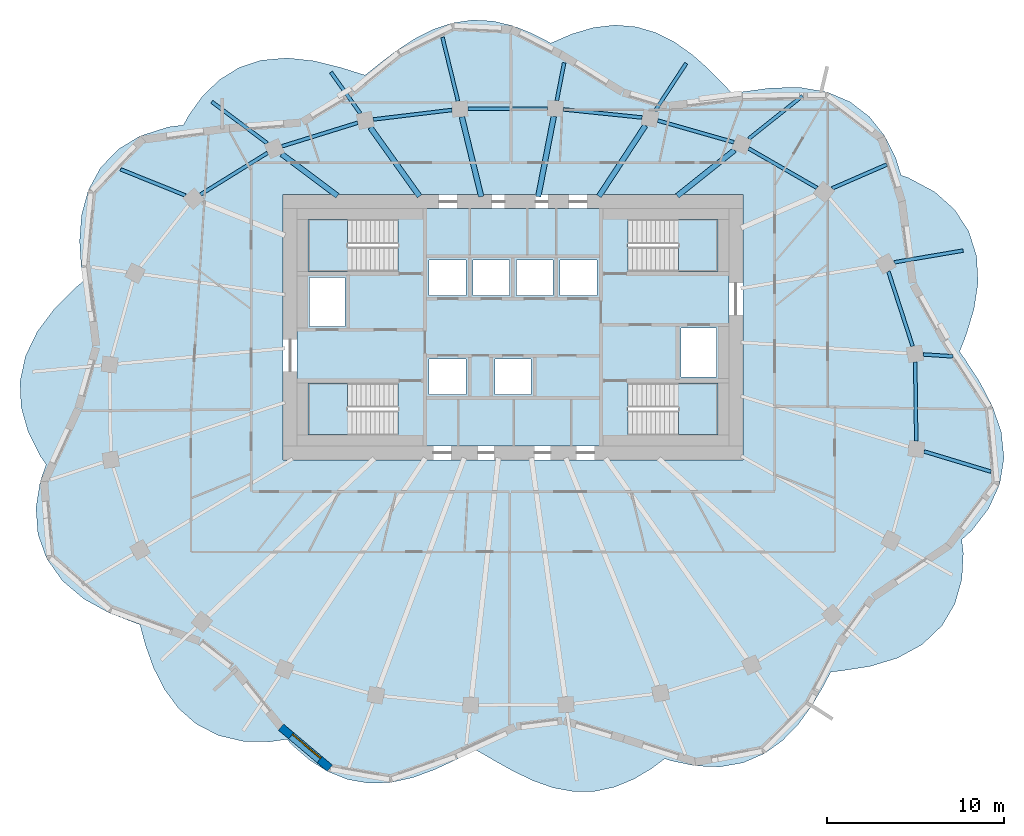
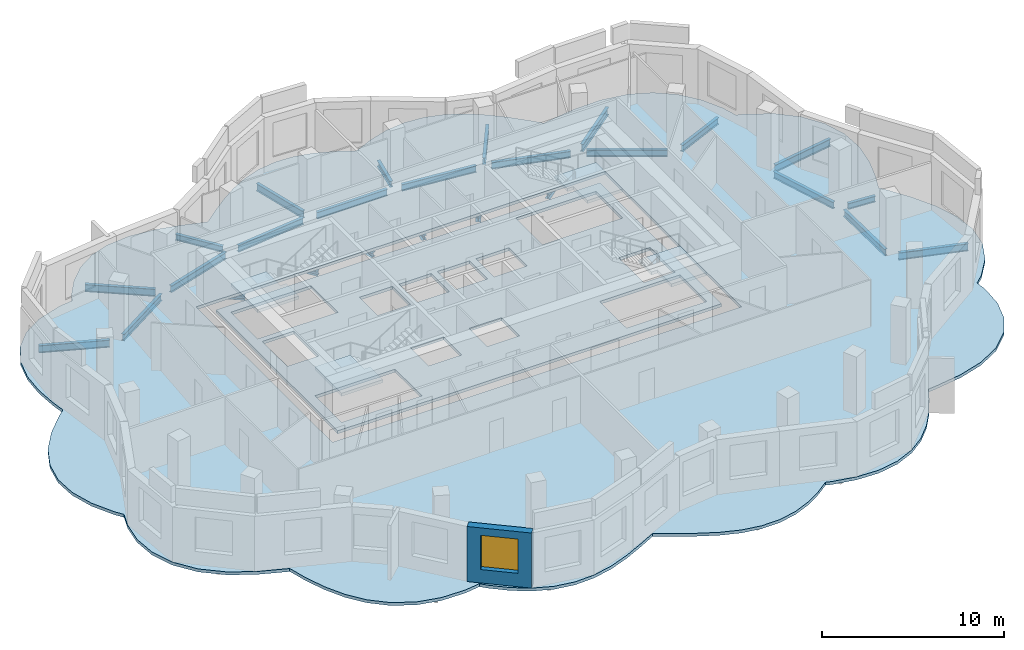
# One storey, part 2 of 10: 26 beams, 6 slabs, 1 wall, 1 window, 1 opening, 4 elements without a shape of their own.
"""IFC4 building model written with IfcOpenShell, lengths in metres."""

from ifc_helpers import new_model, si_unit, direction, frame, frame_2d, origin, origin_2d, place, context, subcontext, project, spatial, polyline, rectangle, i_section, outline, extrude, material, layer, layer_set, material_profile, profile_set, type_object, element, fill, aggregate, save


model = new_model("IFC4")

# Units and contexts
model_context = context("Model", 3, precision=1e-05, world=origin(), true_north=direction((0.0, 1.0)))
body_context = subcontext(model_context, "Body", "Model", "MODEL_VIEW")
ifc_project = project(units=[si_unit("LENGTHUNIT", "METRE"), si_unit("AREAUNIT", "SQUARE_METRE"), si_unit("VOLUMEUNIT", "CUBIC_METRE"), si_unit("PLANEANGLEUNIT", "RADIAN"), si_unit("MASSUNIT", "GRAM", prefix="KILO")], contexts=[model_context])

# Site, building, storey
site_placement = place(None, origin())
site = spatial("IfcSite", under=ifc_project, at=site_placement, CompositionType="ELEMENT")
building_placement = place(site_placement, origin())
building = spatial("IfcBuilding", under=site, at=building_placement, Name="Rubra Terraces Tower", CompositionType="ELEMENT")
storey_placement = place(building_placement, frame((0.0, 0.0, 296.10009765625)))
storey = spatial("IfcBuildingStorey", under=building, at=storey_placement, Name="L73", CompositionType="ELEMENT", Elevation=296.10009765625)

# Beams
ifc_material_1 = material(Name="Steel Q355B", Category="steel")
ifc_material_profile_1 = material_profile(ifc_material_1, i_section(OverallWidth=0.199951171875, OverallDepth=0.39990234375, WebThickness=0.008056640625, FlangeThickness=0.012939453125, at=origin_2d()), Name="HN 400x200x8x13")
ifc_profile_set_1 = profile_set([ifc_material_profile_1], Name="Steel Q355B")
beam_type_1 = type_object("IfcBeamType", Name="CANTILEVER BEAM HN 400x200x8x13", PredefinedType="BEAM", material=ifc_profile_set_1)
beam_1_placement = place(storey_placement, frame((23.195068359375, 2.9619140625, -0.400146484375), z_axis=(0.997845385108, -0.065609354661, 0.0), x_axis=(0.065609354661, 0.997845385108, 0.0)))
element("IfcBeam", 1, at=beam_1_placement, inside=storey, type_object=beam_type_1, Name="beam-L73-cant-01", PredefinedType="BEAM", context=body_context, shape_type="SweptSolid", body=[
    extrude(i_section(OverallWidth=0.199951171875, OverallDepth=0.39990234375, WebThickness=0.008056640625, FlangeThickness=0.012939453125, at=origin_2d()), origin(), (0.0, 0.0, 1.0), 1.674560546875),
])
beam_2_placement = place(storey_placement, frame((2.47802734375, 17.30810546875, -0.400146484375), z_axis=(0.190070576242, 0.981770429401, 0.0), x_axis=(-0.981770429401, 0.190070576242, 0.0)))
element("IfcBeam", 2, at=beam_2_placement, inside=storey, type_object=beam_type_1, Name="beam-L73-cant-06", PredefinedType="BEAM", context=body_context, shape_type="SweptSolid", body=[
    extrude(i_section(OverallWidth=0.199951171875, OverallDepth=0.39990234375, WebThickness=0.008056640625, FlangeThickness=0.012939453125, at=origin_2d()), origin(), (0.0, 0.0, 1.0), 2.18359375),
])
beam_3_placement = place(storey_placement, frame((-8.632080078125, 16.591064453125, -0.400146484375), z_axis=(-0.580898696932, 0.81397586199, 0.0), x_axis=(-0.81397586199, -0.580898696932, 0.0)))
element("IfcBeam", 3, at=beam_3_placement, inside=storey, type_object=beam_type_1, Name="beam-L73-cant-08", PredefinedType="BEAM", context=body_context, shape_type="SweptSolid", body=[
    extrude(i_section(OverallWidth=0.199951171875, OverallDepth=0.39990234375, WebThickness=0.008056640625, FlangeThickness=0.012939453125, at=origin_2d()), origin(), (0.0, 0.0, 1.0), 2.857421875),
])
ifc_material_profile_2 = material_profile(ifc_material_1, i_section(OverallWidth=0.198974609375, OverallDepth=0.446044921875, WebThickness=0.008056640625, FlangeThickness=0.011962890625, at=origin_2d()), Name="HN 446x199x8x12")
ifc_profile_set_2 = profile_set([ifc_material_profile_2], Name="Steel Q355B")
beam_type_2 = type_object("IfcBeamType", Name="CANTILEVER BEAM HN 446x199x8x12", PredefinedType="BEAM", material=ifc_profile_set_2)
beam_4_placement = place(storey_placement, frame((18.047119140625, 12.35205078125, -0.423095703125), z_axis=(0.916884095098, 0.399153549597, 0.0), x_axis=(-0.399153549597, 0.916884095098, 0.0)))
element("IfcBeam", 4, at=beam_4_placement, inside=storey, type_object=beam_type_2, Name="beam-L73-cant-03", PredefinedType="BEAM", context=body_context, shape_type="SweptSolid", body=[
    extrude(i_section(OverallWidth=0.198974609375, OverallDepth=0.446044921875, WebThickness=0.008056640625, FlangeThickness=0.011962890625, at=origin_2d()), origin(), (0.0, 0.0, 1.0), 3.3623046875),
])
beam_5_placement = place(storey_placement, frame((8.01806640625, 16.714111328125, -0.423095703125), z_axis=(0.548902148332, 0.835886614055, 0.0), x_axis=(-0.835886614055, 0.548902148332, 0.0)))
element("IfcBeam", 5, at=beam_5_placement, inside=storey, type_object=beam_type_2, Name="beam-L73-cant-05", PredefinedType="BEAM", context=body_context, shape_type="SweptSolid", body=[
    extrude(i_section(OverallWidth=0.198974609375, OverallDepth=0.446044921875, WebThickness=0.008056640625, FlangeThickness=0.011962890625, at=origin_2d()), origin(), (0.0, 0.0, 1.0), 3.233642578125),
])
ifc_material_profile_3 = material_profile(ifc_material_1, i_section(OverallWidth=0.198974609375, OverallDepth=0.49609375, WebThickness=0.009033203125, FlangeThickness=0.013916015625, at=origin_2d()), Name="HN 496x199x9x14")
ifc_profile_set_3 = profile_set([ifc_material_profile_3], Name="Steel Q355B")
beam_type_3 = type_object("IfcBeamType", Name="CANTILEVER BEAM HN 496x199x9x14", PredefinedType="BEAM", material=ifc_profile_set_3)
beam_6_placement = place(storey_placement, frame((21.552001953125, 8.169921875, -0.447998046875), z_axis=(0.985809855884, 0.167865803673, 0.0), x_axis=(-0.167865803673, 0.985809855884, 0.0)))
element("IfcBeam", 6, at=beam_6_placement, inside=storey, type_object=beam_type_3, Name="beam-L73-cant-02", PredefinedType="BEAM", context=body_context, shape_type="SweptSolid", body=[
    extrude(i_section(OverallWidth=0.198974609375, OverallDepth=0.49609375, WebThickness=0.009033203125, FlangeThickness=0.013916015625, at=origin_2d()), origin(), (0.0, 0.0, 1.0), 3.9501953125),
])
beam_7_placement = place(storey_placement, frame((13.326904296875, 15.152099609375, -0.447998046875), z_axis=(0.781187592324, 0.624296360393, 0.0), x_axis=(-0.624296360393, 0.781187592324, 0.0)))
element("IfcBeam", 7, at=beam_7_placement, inside=storey, type_object=beam_type_3, Name="beam-L73-cant-04", PredefinedType="BEAM", context=body_context, shape_type="SweptSolid", body=[
    extrude(i_section(OverallWidth=0.198974609375, OverallDepth=0.49609375, WebThickness=0.009033203125, FlangeThickness=0.013916015625, at=origin_2d()), origin(), (0.0, 0.0, 1.0), 3.884033203125),
])
beam_8_placement = place(storey_placement, frame((-3.10693359375, 17.280029296875, -0.447998046875), z_axis=(-0.236180248779, 0.971709262118, 0.0), x_axis=(-0.971709262118, -0.236180248779, 0.0)))
element("IfcBeam", 8, at=beam_8_placement, inside=storey, type_object=beam_type_3, Name="beam-L73-cant-07", PredefinedType="BEAM", context=body_context, shape_type="SweptSolid", body=[
    extrude(i_section(OverallWidth=0.198974609375, OverallDepth=0.49609375, WebThickness=0.009033203125, FlangeThickness=0.013916015625, at=origin_2d()), origin(), (0.0, 0.0, 1.0), 3.708984375),
])
beam_9_placement = place(storey_placement, frame((-13.89794921875, 14.903076171875, -0.447998046875), z_axis=(-0.800479582074, 0.599360024261, 0.0), x_axis=(-0.599360024261, -0.800479582074, 0.0)))
element("IfcBeam", 9, at=beam_9_placement, inside=storey, type_object=beam_type_3, Name="beam-L73-cant-09", PredefinedType="BEAM", context=body_context, shape_type="SweptSolid", body=[
    extrude(i_section(OverallWidth=0.198974609375, OverallDepth=0.49609375, WebThickness=0.009033203125, FlangeThickness=0.013916015625, at=origin_2d()), origin(), (0.0, 0.0, 1.0), 3.907470703125),
])
for number, where, z_axis, x_axis, name in (
    (10, (-18.51708984375, 11.949951171875, -0.447998046875), (-0.927638789875, 0.373478614541, 0.0), (-0.373478614541, -0.927638789875, 0.0), "beam-L73-cant-10"),
    (11, (23.239013671875, -2.52099609375, -0.447998046875), (0.957281879251, -0.289156365412, 0.0), (0.289156365412, 0.957281879251, 0.0), "beam-L73-cant-24"),
):
    element("IfcBeam", number, at=place(storey_placement, frame(where, z_axis=z_axis, x_axis=x_axis)), inside=storey, type_object=beam_type_3, Name=name, PredefinedType="BEAM", context=body_context, shape_type="SweptSolid", body=[
        extrude(i_section(OverallWidth=0.198974609375, OverallDepth=0.49609375, WebThickness=0.009033203125, FlangeThickness=0.013916015625, at=origin_2d()), origin(), (0.0, 0.0, 1.0), 3.94970703125),
    ])
ifc_material_profile_4 = material_profile(ifc_material_1, i_section(OverallWidth=0.304931640625, OverallDepth=0.300048828125, WebThickness=0.014892578125, FlangeThickness=0.014892578125, at=origin_2d()), Name="HW 300x305x15x15")
ifc_profile_set_4 = profile_set([ifc_material_profile_4], Name="Steel Q355B")
beam_type_4 = type_object("IfcBeamType", Name="FLOOR BEAM HW 300x305x15x15", PredefinedType="BEAM", material=ifc_profile_set_4)
beam_10_placement = place(storey_placement, frame((12.527099609375, 14.511962890625, -0.35009765625), z_axis=(-0.781190597938, -0.624292599423, 0.0), x_axis=(0.624292599423, -0.781190597938, 0.0)))
element("IfcBeam", 12, at=beam_10_placement, inside=storey, type_object=beam_type_4, Name="beam-L73-floor-04", PredefinedType="BEAM", context=body_context, shape_type="SweptSolid", body=[
    extrude(i_section(OverallWidth=0.304931640625, OverallDepth=0.300048828125, WebThickness=0.014892578125, FlangeThickness=0.014892578125, at=origin_2d()), origin(), (0.0, 0.0, 1.0), 4.143798828125),
])
beam_11_placement = place(storey_placement, frame((7.48388671875, 15.89990234375, -0.35009765625), z_axis=(-0.548799087814, -0.835954281773, 0.0), x_axis=(0.835954281773, -0.548799087814, 0.0)))
element("IfcBeam", 13, at=beam_11_placement, inside=storey, type_object=beam_type_4, Name="beam-L73-floor-05", PredefinedType="BEAM", context=body_context, shape_type="SweptSolid", body=[
    extrude(i_section(OverallWidth=0.304931640625, OverallDepth=0.300048828125, WebThickness=0.014892578125, FlangeThickness=0.014892578125, at=origin_2d()), origin(), (0.0, 0.0, 1.0), 4.784912109375),
])
beam_12_placement = place(storey_placement, frame((2.305908203125, 16.416015625, -0.35009765625), z_axis=(-0.190104093884, -0.981763939798, 0.0), x_axis=(0.981763939798, -0.190104093884, 0.0)))
element("IfcBeam", 14, at=beam_12_placement, inside=storey, type_object=beam_type_4, Name="beam-L73-floor-06", PredefinedType="BEAM", context=body_context, shape_type="SweptSolid", body=[
    extrude(i_section(OverallWidth=0.304931640625, OverallDepth=0.300048828125, WebThickness=0.014892578125, FlangeThickness=0.014892578125, at=origin_2d()), origin(), (0.0, 0.0, 1.0), 4.6181640625),
])
beam_13_placement = place(storey_placement, frame((-2.89111328125, 16.39208984375, -0.35009765625), z_axis=(0.236229407797, -0.971697312383, 0.0), x_axis=(0.971697312383, 0.236229407797, 0.0)))
element("IfcBeam", 15, at=beam_13_placement, inside=storey, type_object=beam_type_4, Name="beam-L73-floor-07", PredefinedType="BEAM", context=body_context, shape_type="SweptSolid", body=[
    extrude(i_section(OverallWidth=0.304931640625, OverallDepth=0.300048828125, WebThickness=0.014892578125, FlangeThickness=0.014892578125, at=origin_2d()), origin(), (0.0, 0.0, 1.0), 4.640380859375),
])
beam_14_placement = place(storey_placement, frame((-8.06201171875, 15.79296875, -0.35009765625), z_axis=(0.580948286594, -0.813940469754, 0.0), x_axis=(0.813940469754, 0.580948286594, 0.0)))
element("IfcBeam", 16, at=beam_14_placement, inside=storey, type_object=beam_type_4, Name="beam-L73-floor-08", PredefinedType="BEAM", context=body_context, shape_type="SweptSolid", body=[
    extrude(i_section(OverallWidth=0.304931640625, OverallDepth=0.300048828125, WebThickness=0.014892578125, FlangeThickness=0.014892578125, at=origin_2d()), origin(), (0.0, 0.0, 1.0), 4.7802734375),
])
beam_15_placement = place(storey_placement, frame((-13.075927734375, 14.2890625, -0.35009765625), z_axis=(0.800431185592, -0.599424655092, 0.0), x_axis=(0.599424655092, 0.800431185592, 0.0)))
element("IfcBeam", 17, at=beam_15_placement, inside=storey, type_object=beam_type_4, Name="beam-L73-floor-09", PredefinedType="BEAM", context=body_context, shape_type="SweptSolid", body=[
    extrude(i_section(OverallWidth=0.304931640625, OverallDepth=0.300048828125, WebThickness=0.014892578125, FlangeThickness=0.014892578125, at=origin_2d()), origin(), (0.0, 0.0, 1.0), 3.93896484375),
])
ifc_material_profile_5 = material_profile(ifc_material_1, i_section(OverallWidth=0.198974609375, OverallDepth=0.446044921875, WebThickness=0.008056640625, FlangeThickness=0.011962890625, at=origin_2d()), Name="HN 446x199x8x12")
ifc_profile_set_5 = profile_set([ifc_material_profile_5], Name="Steel Q355B")
beam_type_5 = type_object("IfcBeamType", Name="SPANDREL BEAM HN 446x199x8x12", PredefinedType="SPANDREL", material=ifc_profile_set_5)
beam_16_placement = place(storey_placement, frame((22.593994140625, 3.426025390625, -0.423095703125), z_axis=(-0.308536942246, 0.951212360764, 0.0), x_axis=(-0.951212360764, -0.308536942246, 0.0)))
element("IfcBeam", 18, at=beam_16_placement, inside=storey, type_object=beam_type_5, Name="beam-L73-spandrel-01", PredefinedType="SPANDREL", context=body_context, shape_type="SweptSolid", body=[
    extrude(i_section(OverallWidth=0.198974609375, OverallDepth=0.446044921875, WebThickness=0.008056640625, FlangeThickness=0.011962890625, at=origin_2d()), origin(), (0.0, 0.0, 1.0), 4.44384765625),
])
beam_17_placement = place(storey_placement, frame((17.18798828125, 12.37890625, -0.423095703125), z_axis=(-0.866616005945, 0.498975648945, 0.0), x_axis=(-0.498975648945, -0.866616005945, 0.0)))
element("IfcBeam", 19, at=beam_17_placement, inside=storey, type_object=beam_type_5, Name="beam-L73-spandrel-03", PredefinedType="SPANDREL", context=body_context, shape_type="SweptSolid", body=[
    extrude(i_section(OverallWidth=0.198974609375, OverallDepth=0.446044921875, WebThickness=0.008056640625, FlangeThickness=0.011962890625, at=origin_2d()), origin(), (0.0, 0.0, 1.0), 4.463134765625),
])
beam_18_placement = place(storey_placement, frame((12.490966796875, 14.9560546875, -0.423095703125), z_axis=(-0.961713024643, 0.27405849418, 0.0), x_axis=(-0.27405849418, -0.961713024643, 0.0)))
element("IfcBeam", 20, at=beam_18_placement, inside=storey, type_object=beam_type_5, Name="beam-L73-spandrel-04", PredefinedType="SPANDREL", context=body_context, shape_type="SweptSolid", body=[
    extrude(i_section(OverallWidth=0.198974609375, OverallDepth=0.446044921875, WebThickness=0.008056640625, FlangeThickness=0.011962890625, at=origin_2d()), origin(), (0.0, 0.0, 1.0), 4.477294921875),
])
beam_19_placement = place(storey_placement, frame((7.302001953125, 16.35400390625, -0.423095703125), z_axis=(-0.994684107425, 0.102973425873, 0.0), x_axis=(-0.102973425873, -0.994684107425, 0.0)))
element("IfcBeam", 21, at=beam_19_placement, inside=storey, type_object=beam_type_5, Name="beam-L73-spandrel-05", PredefinedType="SPANDREL", context=body_context, shape_type="SweptSolid", body=[
    extrude(i_section(OverallWidth=0.198974609375, OverallDepth=0.446044921875, WebThickness=0.008056640625, FlangeThickness=0.011962890625, at=origin_2d()), origin(), (0.0, 0.0, 1.0), 4.48583984375),
])
beam_20_placement = place(storey_placement, frame((1.94091796875, 16.860107421875, -0.423095703125), z_axis=(-0.999987753188, -0.004949088244, 0.0), x_axis=(0.004949088244, -0.999987753188, 0.0)))
element("IfcBeam", 22, at=beam_20_placement, inside=storey, type_object=beam_type_5, Name="beam-L73-spandrel-06", PredefinedType="SPANDREL", context=body_context, shape_type="SweptSolid", body=[
    extrude(i_section(OverallWidth=0.198974609375, OverallDepth=0.446044921875, WebThickness=0.008056640625, FlangeThickness=0.011962890625, at=origin_2d()), origin(), (0.0, 0.0, 1.0), 4.489013671875),
])
beam_21_placement = place(storey_placement, frame((-3.447021484375, 16.781982421875, -0.423095703125), z_axis=(-0.992829862118, -0.119536040116, 0.0), x_axis=(0.119536040116, -0.992829862118, 0.0)))
element("IfcBeam", 23, at=beam_21_placement, inside=storey, type_object=beam_type_5, Name="beam-L73-spandrel-07", PredefinedType="SPANDREL", context=body_context, shape_type="SweptSolid", body=[
    extrude(i_section(OverallWidth=0.198974609375, OverallDepth=0.446044921875, WebThickness=0.008056640625, FlangeThickness=0.011962890625, at=origin_2d()), origin(), (0.0, 0.0, 1.0), 4.483154296875),
])
beam_22_placement = place(storey_placement, frame((-8.779052734375, 16.05810546875, -0.423095703125), z_axis=(-0.955035382264, -0.296491852541, 0.0), x_axis=(0.296491852541, -0.955035382264, 0.0)))
element("IfcBeam", 24, at=beam_22_placement, inside=storey, type_object=beam_type_5, Name="beam-L73-spandrel-08", PredefinedType="SPANDREL", context=body_context, shape_type="SweptSolid", body=[
    extrude(i_section(OverallWidth=0.198974609375, OverallDepth=0.446044921875, WebThickness=0.008056640625, FlangeThickness=0.011962890625, at=origin_2d()), origin(), (0.0, 0.0, 1.0), 4.47607421875),
])
beam_23_placement = place(storey_placement, frame((-13.8720703125, 14.35693359375, -0.423095703125), z_axis=(-0.849641857012, -0.527360137679, 0.0), x_axis=(0.527360137679, -0.849641857012, 0.0)))
element("IfcBeam", 25, at=beam_23_placement, inside=storey, type_object=beam_type_5, Name="beam-L73-spandrel-09", PredefinedType="SPANDREL", context=body_context, shape_type="SweptSolid", body=[
    extrude(i_section(OverallWidth=0.198974609375, OverallDepth=0.446044921875, WebThickness=0.008056640625, FlangeThickness=0.011962890625, at=origin_2d()), origin(), (0.0, 0.0, 1.0), 4.4619140625),
])
beam_24_placement = place(storey_placement, frame((22.7958984375, -1.93408203125, -0.423095703125), z_axis=(-0.01250038801, 0.999921867097, 0.0), x_axis=(-0.999921867097, -0.01250038801, 0.0)))
element("IfcBeam", 26, at=beam_24_placement, inside=storey, type_object=beam_type_5, Name="beam-L73-spandrel-24", PredefinedType="SPANDREL", context=body_context, shape_type="SweptSolid", body=[
    extrude(i_section(OverallWidth=0.198974609375, OverallDepth=0.446044921875, WebThickness=0.008056640625, FlangeThickness=0.011962890625, at=origin_2d()), origin(), (0.0, 0.0, 1.0), 4.472412109375),
])

# Slab
ifc_material_2 = material(Name="Concrete C40", Category="concrete")
ifc_layer_1 = layer(ifc_material_2, 0.199951171875)
ifc_layer_set_1 = layer_set([ifc_layer_1], Name="Concrete C40")
slab_type_1 = type_object("IfcSlabType", Name="Core floor slab 200 concrete", PredefinedType="FLOOR", material=ifc_layer_set_1)
slab_1_placement = place(storey_placement, frame((0.0, 0.0, -0.2001953125)))
element("IfcSlab", 27, at=slab_1_placement, inside=storey, type_object=slab_type_1, Name="CORE FLOOR SLAB L73", PredefinedType="FLOOR", context=body_context, shape_type="SweptSolid", body=[
    extrude(outline(polyline([(-12.199951171875, -2.199951171875), (-12.199951171875, 11.199951171875), (12.199951171875, 11.199951171875), (12.199951171875, -2.199951171875), (-12.199951171875, -2.199951171875)]), holes=[polyline([(11.597900390625, 1.347900390625), (6.501953125, 1.347900390625), (6.501953125, -1.597900390625), (11.597900390625, -1.597900390625), (11.597900390625, 1.347900390625)]), polyline([(11.597900390625, 7.652099609375), (11.597900390625, 10.597900390625), (6.501953125, 10.597900390625), (6.501953125, 7.652099609375), (11.597900390625, 7.652099609375)]), polyline([(9.5, 1.699951171875), (11.5, 1.699951171875), (11.5, 4.449951171875), (9.5, 4.449951171875), (9.5, 1.699951171875)]), polyline([(4.75, 6.300048828125), (4.75, 8.300048828125), (2.64990234375, 8.300048828125), (2.64990234375, 6.300048828125), (4.75, 6.300048828125)]), polyline([(2.25, 8.300048828125), (0.199951171875, 8.300048828125), (0.199951171875, 6.300048828125), (2.25, 6.300048828125), (2.25, 8.300048828125)]), polyline([(1.02490234375, 0.699951171875), (1.02490234375, 2.699951171875), (-1.02490234375, 2.699951171875), (-1.02490234375, 0.699951171875), (1.02490234375, 0.699951171875)]), polyline([(-0.199951171875, 6.300048828125), (-0.199951171875, 8.300048828125), (-2.25, 8.300048828125), (-2.25, 6.300048828125), (-0.199951171875, 6.300048828125)]), polyline([(-4.75, 8.300048828125), (-4.75, 6.300048828125), (-2.64990234375, 6.300048828125), (-2.64990234375, 8.300048828125), (-4.75, 8.300048828125)]), polyline([(-2.64990234375, 0.699951171875), (-2.64990234375, 2.699951171875), (-4.75, 2.699951171875), (-4.75, 0.699951171875), (-2.64990234375, 0.699951171875)]), polyline([(-11.597900390625, -1.597900390625), (-6.501953125, -1.597900390625), (-6.501953125, 1.347900390625), (-11.597900390625, 1.347900390625), (-11.597900390625, -1.597900390625)]), polyline([(-11.597900390625, 10.597900390625), (-11.597900390625, 7.652099609375), (-6.501953125, 7.652099609375), (-6.501953125, 10.597900390625), (-11.597900390625, 10.597900390625)]), polyline([(-9.5, 4.550048828125), (-9.5, 7.300048828125), (-11.5, 7.300048828125), (-11.5, 4.550048828125), (-9.5, 4.550048828125)])]), origin(), (0.0, 0.0, 1.0), 0.2001953125),
])

# Stair, slab
stair_type = type_object("IfcStairType", Name="Core stair 1400", PredefinedType="HALF_TURN_STAIR", material=ifc_material_2)
stair_1_placement = place(storey_placement, origin())
stair_1 = element("IfcStair", 28, at=stair_1_placement, inside=storey, type_object=stair_type, Name="L73 Exit stair S1", PredefinedType="HALF_TURN_STAIR")
ifc_layer_2 = layer(ifc_material_2, 0.199951171875)
ifc_layer_set_2 = layer_set([ifc_layer_2], Name="Concrete C40")
slab_type_2 = type_object("IfcSlabType", Name="Core stair landing 200", PredefinedType="LANDING", material=ifc_layer_set_2)
slab_2_placement = place(storey_placement, frame((0.0, 0.0, 1.75)))
slab_2 = element("IfcSlab", 29, at=slab_2_placement, type_object=slab_type_2, Name="S1 landing 1", PredefinedType="LANDING", context=body_context, shape_type="SweptSolid", body=[
    extrude(outline(polyline([(-8.97998046875, -0.199951171875), (-8.97998046875, -1.60009765625), (-9.360107421875, -1.60009765625), (-9.3798828125, -1.60009765625), (-11.60009765625, -1.60009765625), (-11.60009765625, 1.35009765625), (-9.3798828125, 1.35009765625), (-9.35791015625, 1.35009765625), (-9.35791015625, -0.050048828125), (-9.360107421875, -0.050048828125), (-9.360107421875, -0.199951171875), (-8.97998046875, -0.199951171875)])), origin(), (0.0, 0.0, 1.0), 0.199951171875),
])
aggregate(stair_1, [slab_2])

stair_2_placement = place(storey_placement, origin())
stair_2 = element("IfcStair", 30, at=stair_2_placement, inside=storey, type_object=stair_type, Name="L73 Exit stair S2", PredefinedType="HALF_TURN_STAIR")
slab_3_placement = place(storey_placement, frame((0.0, 0.0, 1.75)))
slab_3 = element("IfcSlab", 31, at=slab_3_placement, type_object=slab_type_2, Name="S2 landing 1", PredefinedType="LANDING", context=body_context, shape_type="SweptSolid", body=[
    extrude(outline(polyline([(-8.97998046875, 9.050048828125), (-8.97998046875, 7.64990234375), (-9.3798828125, 7.64990234375), (-11.60009765625, 7.64990234375), (-11.60009765625, 10.60009765625), (-9.3798828125, 10.60009765625), (-9.360107421875, 10.60009765625), (-9.35791015625, 10.60009765625), (-9.35791015625, 9.199951171875), (-9.360107421875, 9.199951171875), (-9.360107421875, 9.050048828125), (-8.97998046875, 9.050048828125)])), origin(), (0.0, 0.0, 1.0), 0.199951171875),
])
aggregate(stair_2, [slab_3])

stair_3_placement = place(storey_placement, origin())
stair_3 = element("IfcStair", 32, at=stair_3_placement, inside=storey, type_object=stair_type, Name="L73 Exit stair S3", PredefinedType="HALF_TURN_STAIR")
slab_4_placement = place(storey_placement, frame((0.0, 0.0, 1.75)))
slab_4 = element("IfcSlab", 33, at=slab_4_placement, type_object=slab_type_2, Name="S3 landing 1", PredefinedType="LANDING", context=body_context, shape_type="SweptSolid", body=[
    extrude(outline(polyline([(9.360107421875, 9.050048828125), (9.360107421875, 9.199951171875), (8.97998046875, 9.199951171875), (8.97998046875, 10.60009765625), (9.360107421875, 10.60009765625), (9.3798828125, 10.60009765625), (11.60009765625, 10.60009765625), (11.60009765625, 7.64990234375), (9.3798828125, 7.64990234375), (9.35791015625, 7.64990234375), (9.35791015625, 9.050048828125), (9.360107421875, 9.050048828125)])), origin(), (0.0, 0.0, 1.0), 0.199951171875),
])
aggregate(stair_3, [slab_4])

stair_4_placement = place(storey_placement, origin())
stair_4 = element("IfcStair", 34, at=stair_4_placement, inside=storey, type_object=stair_type, Name="L73 Exit stair S4", PredefinedType="HALF_TURN_STAIR")
slab_5_placement = place(storey_placement, frame((0.0, 0.0, 1.75)))
slab_5 = element("IfcSlab", 35, at=slab_5_placement, type_object=slab_type_2, Name="S4 landing 1", PredefinedType="LANDING", context=body_context, shape_type="SweptSolid", body=[
    extrude(outline(polyline([(9.360107421875, -0.199951171875), (9.360107421875, -0.050048828125), (8.97998046875, -0.050048828125), (8.97998046875, 1.35009765625), (9.360107421875, 1.35009765625), (9.3798828125, 1.35009765625), (11.60009765625, 1.35009765625), (11.60009765625, -1.60009765625), (9.3798828125, -1.60009765625), (9.360107421875, -1.60009765625), (9.35791015625, -1.60009765625), (9.35791015625, -0.199951171875), (9.360107421875, -0.199951171875)])), origin(), (0.0, 0.0, 1.0), 0.199951171875),
])
aggregate(stair_4, [slab_5])

# Slab
ifc_layer_3 = layer(ifc_material_2, 0.199951171875)
ifc_layer_set_3 = layer_set([ifc_layer_3], Name="Concrete C40")
slab_type_3 = type_object("IfcSlabType", Name="FLOOR SLAB 200 COMPOSITE", PredefinedType="FLOOR", material=ifc_layer_set_3)
slab_6_placement = place(storey_placement, frame((0.0, 0.0, -0.2001953125)))
element("IfcSlab", 36, at=slab_6_placement, inside=storey, type_object=slab_type_3, Name="FLOOR SLAB L73", PredefinedType="FLOOR", context=body_context, shape_type="SweptSolid", body=[
    extrude(outline(polyline([(25.4599609375, -8.27294921875), (25.368896484375, -7.5048828125), (25.94091796875, -6.986083984375), (26.89306640625, -5.7451171875), (27.52001953125, -4.35888671875), (27.758056640625, -2.89501953125), (27.60400390625, -1.422119140625), (27.116943359375, 0.0), (26.39990234375, 1.382080078125), (25.549072265625, 2.694091796875), (25.24609375, 3.115966796875), (25.614990234375, 4.056884765625), (26.06005859375, 5.510009765625), (26.291015625, 7.01806640625), (26.2109375, 8.51611328125), (25.76708984375, 9.925048828125), (24.9599609375, 11.156005859375), (23.844970703125, 12.14990234375), (22.326904296875, 12.964111328125), (21.93994140625, 13.089111328125), (21.64404296875, 14.050048828125), (21.032958984375, 15.281982421875), (20.157958984375, 16.39111328125), (19.06201171875, 17.238037109375), (17.787109375, 17.787109375), (16.205078125, 18.05908203125), (14.56103515625, 18.02392578125), (12.93310546875, 17.801025390625), (11.493896484375, 17.552001953125), (12.39501953125, 17.7080078125), (11.868896484375, 18.27294921875), (11.032958984375, 19.117919921875), (10.14208984375, 19.905029296875), (9.14306640625, 20.613037109375), (8.0849609375, 21.14990234375), (6.97900390625, 21.47900390625), (5.77294921875, 21.5830078125), (4.552978515625, 21.43994140625), (3.339111328125, 21.0810546875), (2.205078125, 20.589111328125), (2.14599609375, 20.55810546875), (3.159912109375, 19.948974609375), (2.1240234375, 20.571044921875), (1.06689453125, 21.115966796875), (0.0, 21.537109375), (-1.136962890625, 21.80908203125), (-2.2880859375, 21.867919921875), (-3.43701171875, 21.697998046875), (-4.5048828125, 21.339111328125), (-5.5458984375, 20.81201171875), (-6.550048828125, 20.159912109375), (-7.468017578125, 19.468017578125), (-8.35205078125, 18.756103515625), (-8.426025390625, 18.77001953125), (-9.780029296875, 19.194091796875), (-11.27392578125, 19.56005859375), (-12.77490234375, 19.721923828125), (-14.23388671875, 19.592041015625), (-15.471923828125, 19.18310546875), (-16.589111328125, 18.493896484375), (-17.555908203125, 17.555908203125), (-18.319091796875, 16.498046875), (-18.626953125, 15.926025390625), (-19.4560546875, 15.825927734375), (-21.076904296875, 15.31298828125), (-22.318115234375, 14.55810546875), (-23.31494140625, 13.51611328125), (-24.011962890625, 12.235107421875), (-24.387939453125, 10.840087890625), (-24.4990234375, 9.3798828125), (-24.408935546875, 7.930908203125), (-24.2900390625, 7.10498046875), (-24.782958984375, 6.68310546875), (-25.9169921875, 5.549072265625), (-26.887939453125, 4.259033203125), (-27.554931640625, 2.8779296875), (-27.867919921875, 1.43408203125), (-27.806884765625, 0.0), (-27.407958984375, -1.41796875), (-26.7099609375, -2.801025390625), (-26.389892578125, -3.25390625), (-26.214111328125, -2.748046875), (-26.72998046875, -4.23388671875), (-26.966064453125, -5.718017578125), (-26.85693359375, -7.18896484375), (-26.367919921875, -8.56689453125), (-25.468017578125, -9.8359375), (-24.2529296875, -10.863037109375), (-22.845947265625, -11.64111328125), (-21.23095703125, -12.264892578125), (-21.0869140625, -12.31201171875), (-20.782958984375, -13.4541015625), (-20.31689453125, -14.761962890625), (-19.697021484375, -15.98193359375), (-18.89697265625, -17.056884765625), (-17.919921875, -17.919921875), (-16.65087890625, -18.5810546875), (-15.242919921875, -18.908935546875), (-13.757080078125, -18.93505859375), (-12.77490234375, -18.798095703125), (-12.424072265625, -19.1708984375), (-11.498046875, -19.965087890625), (-10.498046875, -20.60302734375), (-9.344970703125, -21.069091796875), (-8.137939453125, -21.279052734375), (-6.89892578125, -21.23291015625), (-5.633056640625, -20.951904296875), (-4.3798828125, -20.487060546875), (-3.154052734375, -19.912109375), (-2.110107421875, -19.385986328125), (-2.012939453125, -19.44091796875), (-1.013916015625, -20.02294921875), (0.0, -20.5869140625), (1.131103515625, -21.134033203125), (2.281005859375, -21.5400390625), (3.445068359375, -21.751953125), (4.596923828125, -21.739990234375), (5.73291015625, -21.5), (6.837890625, -21.0439453125), (7.826904296875, -20.4541015625), (8.5791015625, -19.89111328125), (8.930908203125, -20.007080078125), (10.344970703125, -20.302978515625), (11.705078125, -20.35302734375), (13.013916015625, -20.12109375), (14.23388671875, -19.591064453125), (15.238037109375, -18.864990234375), (16.1259765625, -17.947021484375), (16.89501953125, -16.89501953125), (17.55908203125, -15.77001953125), (17.966064453125, -14.985107421875), (18.468994140625, -14.93701171875), (20.19189453125, -14.669921875), (21.739013671875, -14.201904296875), (23.134033203125, -13.43896484375), (24.260986328125, -12.362060546875), (24.98291015625, -11.135986328125), (25.3779296875, -9.7451171875), (25.4599609375, -8.27294921875)]), holes=[polyline([(13.0, 12.0), (13.0, -3.0), (-13.0, -3.0), (-13.0, 12.0), (13.0, 12.0)])]), origin(), (0.0, 0.0, 1.0), 0.2001953125),
])

# Wall, opening, window
ifc_material_3 = material(Name="Brick masonry red-brown", Category="masonry")
ifc_layer_4 = layer(ifc_material_3, 0.449951171875)
ifc_layer_set_4 = layer_set([ifc_layer_4], Name="Brick masonry red-brown")
wall_type = type_object("IfcWallType", Name="Brick facade wall 450", PredefinedType="SOLIDWALL", material=ifc_layer_set_4)
wall_placement = place(storey_placement, frame((-13.11572265625, -18.109130859375, 0.0), z_axis=(0.0, 0.0, 1.0), x_axis=(0.765524906053, -0.64340626218, 0.0)))
wall = element("IfcWall", 37, at=wall_placement, inside=storey, type_object=wall_type, Name="Facade wall L73 bay 27", PredefinedType="SOLIDWALL", context=body_context, shape_type="SweptSolid", body=[
    extrude(rectangle(XDim=3.608642578125, YDim=0.449951171875, at=frame_2d((1.80419921875, 0.0))), origin(), (0.0, 0.0, 1.0), 3.699951171875),
])
opening_placement = place(wall_placement, frame((0.754150390625, 0.0, 0.89990234375)))
opening = element("IfcOpeningElement", 38, at=opening_placement, cuts=wall, Name="Opening W1B", PredefinedType="OPENING", context=body_context, shape_type="SweptSolid", body=[
    extrude(rectangle(XDim=2.10009765625, YDim=2.300048828125, at=frame_2d((1.050048828125, 1.14990234375))), frame((0.0, 0.23486328125, 0.0), z_axis=(0.0, -1.0, 0.0), x_axis=(1.0, 0.0, 0.0)), (0.0, 0.0, 1.0), 0.469970703125),
])
ifc_material_4 = material(Name="Clear glass in aluminium frame", Category="aluminium")
window_type = type_object("IfcWindowType", Name="Fixed deep-set window tall storey 2100 x 2300", PartitioningType="SINGLE_PANEL", PredefinedType="WINDOW", material=ifc_material_4)
window_placement = place(opening_placement, origin())
window = element("IfcWindow", 39, at=window_placement, inside=storey, type_object=window_type, Name="Window L73 bay 27", OverallHeight=2.300048828125, OverallWidth=2.10009765625, PartitioningType="SINGLE_PANEL", PredefinedType="WINDOW", context=body_context, shape_type="SweptSolid", body=[
    extrude(rectangle(XDim=2.10009765625, YDim=2.300048828125, at=frame_2d((1.050048828125, 1.14990234375))), frame((0.0, 0.135009765625, 0.0), z_axis=(0.0, -1.0, 0.0), x_axis=(1.0, 0.0, 0.0)), (0.0, 0.0, 1.0), 0.06005859375),
])
fill(opening, window)

save(model, "model.ifc")
